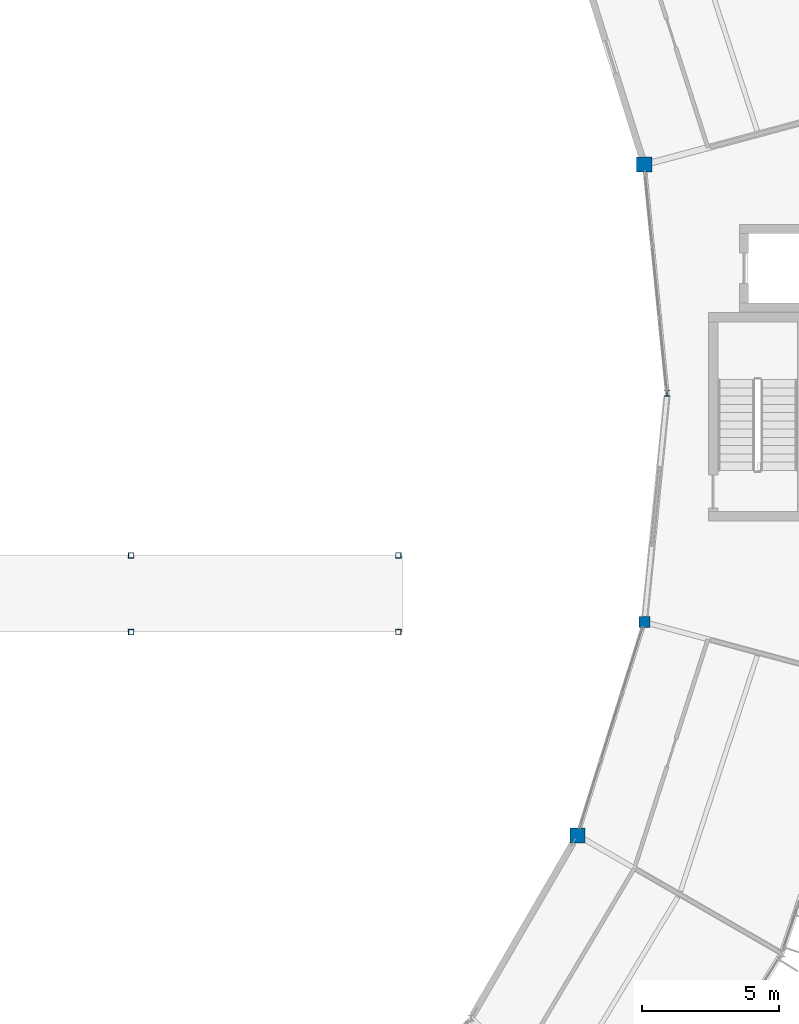
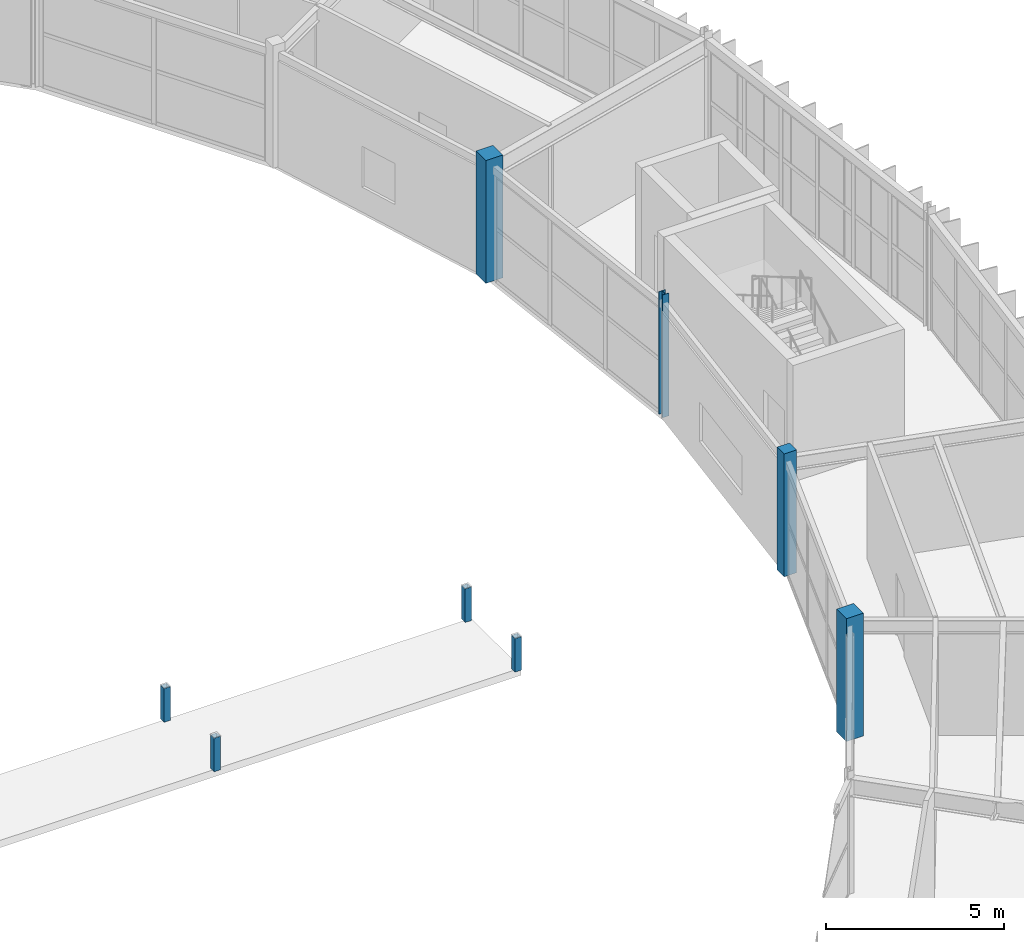
# One storey, part 11 of 157: 8 columns.
"""IFC4 building model written with IfcOpenShell, lengths in metres."""

from ifc_helpers import new_model, si_unit, direction, frame, origin, origin_2d, place, context, subcontext, project, spatial, rectangle, hollow_rectangle, i_section, extrude, material, material_profile, profile_set, type_object, element, save


model = new_model("IFC4")

# Units and contexts
model_context = context("Model", 3, precision=1e-05, world=origin(), true_north=direction((0.0, 1.0)))
body_context = subcontext(model_context, "Body", "Model", "MODEL_VIEW")
ifc_project = project(units=[si_unit("LENGTHUNIT", "METRE"), si_unit("AREAUNIT", "SQUARE_METRE"), si_unit("VOLUMEUNIT", "CUBIC_METRE"), si_unit("PLANEANGLEUNIT", "RADIAN"), si_unit("MASSUNIT", "GRAM", prefix="KILO")], contexts=[model_context])

# Site, building, storey
site_placement = place(None, origin())
site = spatial("IfcSite", under=ifc_project, at=site_placement, CompositionType="ELEMENT")
building_placement = place(site_placement, origin())
building = spatial("IfcBuilding", under=site, at=building_placement, Name="Karori Crest Natural Sciences Institute", CompositionType="ELEMENT")
storey_placement = place(building_placement, frame((0.0, 0.0, 13.300048828125)))
storey = spatial("IfcBuildingStorey", under=building, at=storey_placement, Name="L03", CompositionType="ELEMENT", Elevation=13.300048828125)

# Columns
ifc_material_1 = material(Name="Structural steel AS/NZS 3679.1 Grade 350", Category="steel")
ifc_material_profile_1 = material_profile(ifc_material_1, i_section(OverallWidth=0.205078125, OverallDepth=0.2099609375, WebThickness=0.00927734375, FlangeThickness=0.01416015625, FilletRadius=0.010986328125, at=origin_2d()), Name="200UC59.5")
ifc_profile_set_1 = profile_set([ifc_material_profile_1], Name="Structural steel AS/NZS 3679.1 Grade 350")
column_type_1 = type_object("IfcColumnType", Name="CT-08", PredefinedType="COLUMN", material=ifc_profile_set_1)
column_1_placement = place(storey_placement, frame((90.800048828125, 49.89990234375, 0.0), z_axis=(0.0, 0.0, 1.0), x_axis=(1.0, 0.0, 0.0)))
element("IfcColumn", 1, at=column_1_placement, inside=storey, type_object=column_type_1, Name="Column C-0010", PredefinedType="COLUMN", context=body_context, shape_type="SweptSolid", body=[
    extrude(i_section(OverallWidth=0.205078125, OverallDepth=0.2099609375, WebThickness=0.00927734375, FlangeThickness=0.01416015625, FilletRadius=0.010986328125, at=origin_2d()), origin(), (0.0, 0.0, 1.0), 4.199951171875),
])
ifc_material_2 = material(Name="Hollow structural steel AS/NZS 1163 Grade C350", Category="steel")
ifc_material_profile_2 = material_profile(ifc_material_2, hollow_rectangle(XDim=0.199951171875, YDim=0.199951171875, WallThickness=0.010009765625, at=origin_2d()), Name="SHS200x200x10")
ifc_profile_set_2 = profile_set([ifc_material_profile_2], Name="Hollow structural steel AS/NZS 1163 Grade C350")
column_type_2 = type_object("IfcColumnType", Name="CT-13-EL", PredefinedType="COLUMN", material=ifc_profile_set_2)
for number, where, z_axis, x_axis, name in (
    (2, (71.27001953125, 41.199951171875, 0.0), (0.0, 0.0, 1.0), (1.0, 0.0, 0.0), "Column C-0421"),
    (3, (71.27001953125, 44.0, 0.0), (0.0, 0.0, 1.0), (1.0, 0.0, 0.0), "Column C-0426"),
    (4, (81.010009765625, 41.199951171875, 0.0), (0.0, 0.0, 1.0), (1.0, 0.0, 0.0), "Column C-0431"),
    (5, (81.010009765625, 44.0, 0.0), (0.0, 0.0, 1.0), (1.0, 0.0, 0.0), "Column C-0436"),
):
    element("IfcColumn", number, at=place(storey_placement, frame(where, z_axis=z_axis, x_axis=x_axis)), inside=storey, type_object=column_type_2, Name=name, PredefinedType="COLUMN", context=body_context, shape_type="SweptSolid", body=[
        extrude(hollow_rectangle(XDim=0.199951171875, YDim=0.199951171875, WallThickness=0.010009765625, at=origin_2d()), origin(), (0.0, 0.0, 1.0), 1.14990234375),
    ])
ifc_material_3 = material(Name="Concrete 50 MPa", Category="concrete")
ifc_material_profile_3 = material_profile(ifc_material_3, rectangle(XDim=0.550048828125, YDim=0.550048828125, at=origin_2d()), Name="RC550x550")
ifc_profile_set_3 = profile_set([ifc_material_profile_3], Name="Concrete 50 MPa")
column_type_3 = type_object("IfcColumnType", Name="CT-30", PredefinedType="COLUMN", material=ifc_profile_set_3)
for number, where, z_axis, x_axis, name in (
    (6, (89.968505859375, 58.23388671875, 0.0), (0.0, 0.0, 1.0), (1.0, 0.0, 0.0), "Column C-0028"),
    (7, (87.531005859375, 33.800048828125, 0.0), (0.0, 0.0, 1.0), (1.0, 0.0, 0.0), "Column C-0370"),
):
    element("IfcColumn", number, at=place(storey_placement, frame(where, z_axis=z_axis, x_axis=x_axis)), inside=storey, type_object=column_type_3, Name=name, PredefinedType="COLUMN", context=body_context, shape_type="SweptSolid", body=[
        extrude(rectangle(XDim=0.550048828125, YDim=0.550048828125, at=origin_2d()), origin(), (0.0, 0.0, 1.0), 4.199951171875),
    ])
ifc_material_profile_4 = material_profile(ifc_material_3, rectangle(XDim=0.39990234375, YDim=0.39990234375, at=origin_2d()), Name="RC400x400")
ifc_profile_set_4 = profile_set([ifc_material_profile_4], Name="Concrete 50 MPa")
column_type_4 = type_object("IfcColumnType", Name="CT-31", PredefinedType="PILASTER", material=ifc_profile_set_4)
column_2_placement = place(storey_placement, frame((89.968505859375, 41.56591796875, 0.0), z_axis=(0.0, 0.0, 1.0), x_axis=(1.0, 0.0, 0.0)))
element("IfcColumn", 8, at=column_2_placement, inside=storey, type_object=column_type_4, Name="Column C-0388", PredefinedType="PILASTER", context=body_context, shape_type="SweptSolid", body=[
    extrude(rectangle(XDim=0.39990234375, YDim=0.39990234375, at=origin_2d()), origin(), (0.0, 0.0, 1.0), 4.199951171875),
])

save(model, "model.ifc")
